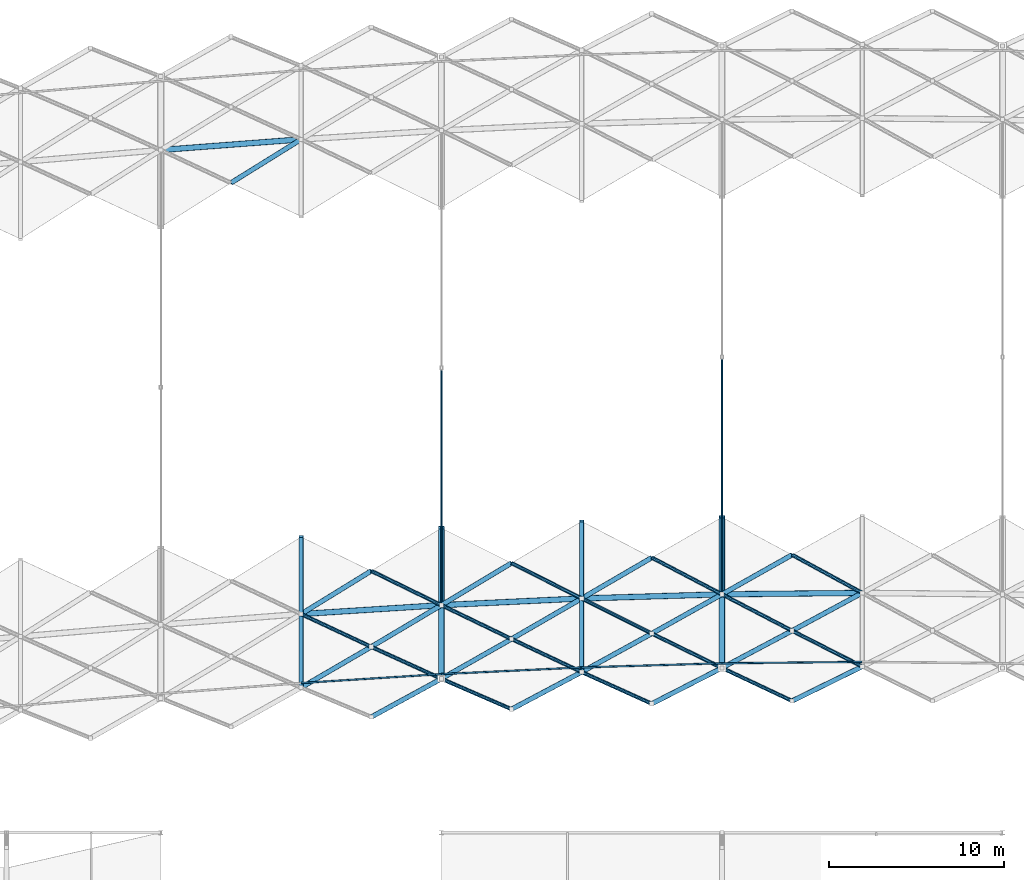
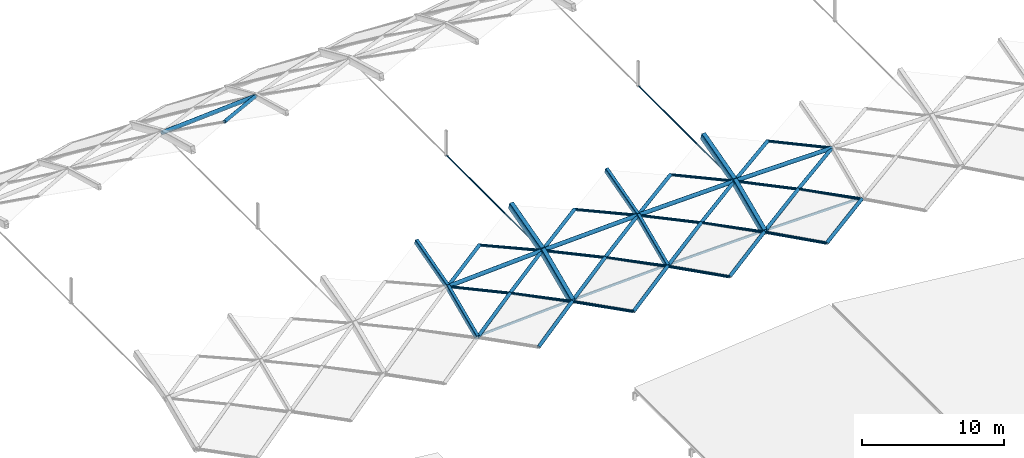
# One storey, part 6 of 54: 43 members, 8 beams.
"""IFC4 building model written with IfcOpenShell, lengths in metres."""

from ifc_helpers import new_model, si_unit, direction, frame, origin, origin_2d, place, context, subcontext, project, spatial, hollow_rectangle, hollow_circle, extrude, material, material_profile, profile_set, type_object, element, save


model = new_model("IFC4")

# Units and contexts
model_context = context("Model", 3, precision=1e-05, world=origin(), true_north=direction((0.0, 1.0)))
body_context = subcontext(model_context, "Body", "Model", "MODEL_VIEW")
ifc_project = project(units=[si_unit("LENGTHUNIT", "METRE"), si_unit("AREAUNIT", "SQUARE_METRE"), si_unit("VOLUMEUNIT", "CUBIC_METRE"), si_unit("PLANEANGLEUNIT", "RADIAN"), si_unit("MASSUNIT", "GRAM", prefix="KILO")], contexts=[model_context])

# Site, building, storey
site_placement = place(None, origin())
site = spatial("IfcSite", under=ifc_project, at=site_placement, CompositionType="ELEMENT")
building_placement = place(site_placement, origin())
building = spatial("IfcBuilding", under=site, at=building_placement, Name="Kenh Van Central Station", CompositionType="ELEMENT")
storey_placement = place(building_placement, frame((0.0, 0.0, 15.0)))
storey = spatial("IfcBuildingStorey", under=building, at=storey_placement, Name="L03", CompositionType="ELEMENT", Elevation=15.0)

# Beams
ifc_material = material(Name="White fluoropolymer structural steel S355", Category="steel")
ifc_material_profile_1 = material_profile(ifc_material, hollow_rectangle(XDim=0.35009765625, YDim=0.60009765625, WallThickness=0.01611328125, InnerFilletRadius=0.01611328125, OuterFilletRadius=0.031982421875, at=origin_2d()), Name="RHS 600x350x16")
ifc_profile_set_1 = profile_set([ifc_material_profile_1], Name="White fluoropolymer structural steel S355")
beam_type_1 = type_object("IfcBeamType", Name="BM-VAULT-ARCH600", PredefinedType="BEAM", material=ifc_profile_set_1)
beam_1_placement = place(storey_placement, frame((64.0, 72.771240234375, 2.228515625), z_axis=(0.0, 0.91578030048, 0.401679525559), x_axis=(-1.0, 0.0, 0.0)))
element("IfcBeam", 1, at=beam_1_placement, inside=storey, type_object=beam_type_1, Name="Vault transverse arch 051", PredefinedType="BEAM", context=body_context, shape_type="SweptSolid", body=[
    extrude(hollow_rectangle(XDim=0.35009765625, YDim=0.60009765625, WallThickness=0.01611328125, InnerFilletRadius=0.01611328125, OuterFilletRadius=0.031982421875, at=origin_2d()), origin(), (0.0, 0.0, 1.0), 4.582275390625),
])
beam_2_placement = place(storey_placement, frame((64.0, 76.967529296875, 4.069091796875), z_axis=(0.0, 0.96438556277, 0.26450044673), x_axis=(-1.0, 0.0, 0.0)))
element("IfcBeam", 2, at=beam_2_placement, inside=storey, type_object=beam_type_1, Name="Vault transverse arch 052", PredefinedType="BEAM", context=body_context, shape_type="SweptSolid", body=[
    extrude(hollow_rectangle(XDim=0.35009765625, YDim=0.60009765625, WallThickness=0.01611328125, InnerFilletRadius=0.01611328125, OuterFilletRadius=0.031982421875, at=origin_2d()), origin(), (0.0, 0.0, 1.0), 4.584716796875),
])
beam_3_placement = place(storey_placement, frame((80.0, 73.38916015625, 2.228515625), z_axis=(0.0, 0.91578030048, 0.401679525559), x_axis=(-1.0, 0.0, 0.0)))
element("IfcBeam", 3, at=beam_3_placement, inside=storey, type_object=beam_type_1, Name="Vault transverse arch 073", PredefinedType="BEAM", context=body_context, shape_type="SweptSolid", body=[
    extrude(hollow_rectangle(XDim=0.35009765625, YDim=0.60009765625, WallThickness=0.01611328125, InnerFilletRadius=0.01611328125, OuterFilletRadius=0.031982421875, at=origin_2d()), origin(), (0.0, 0.0, 1.0), 4.582275390625),
])
beam_4_placement = place(storey_placement, frame((80.0, 77.58544921875, 4.069091796875), z_axis=(0.0, 0.96438556277, 0.26450044673), x_axis=(-1.0, 0.0, 0.0)))
element("IfcBeam", 4, at=beam_4_placement, inside=storey, type_object=beam_type_1, Name="Vault transverse arch 074", PredefinedType="BEAM", context=body_context, shape_type="SweptSolid", body=[
    extrude(hollow_rectangle(XDim=0.35009765625, YDim=0.60009765625, WallThickness=0.01611328125, InnerFilletRadius=0.01611328125, OuterFilletRadius=0.031982421875, at=origin_2d()), origin(), (0.0, 0.0, 1.0), 4.584716796875),
])
ifc_material_profile_2 = material_profile(ifc_material, hollow_rectangle(XDim=0.25, YDim=0.449951171875, WallThickness=0.012451171875, InnerFilletRadius=0.012451171875, OuterFilletRadius=0.02490234375, at=origin_2d()), Name="RHS 450x250x12.5")
ifc_profile_set_2 = profile_set([ifc_material_profile_2], Name="White fluoropolymer structural steel S355")
beam_type_2 = type_object("IfcBeamType", Name="BM-VAULT-SUB450", PredefinedType="BEAM", material=ifc_profile_set_2)
beam_5_placement = place(storey_placement, frame((56.0, 72.2646484375, 2.228515625), z_axis=(0.0, 0.91578030048, 0.401679525559), x_axis=(-1.0, 0.0, 0.0)))
element("IfcBeam", 5, at=beam_5_placement, inside=storey, type_object=beam_type_2, Name="Vault transverse arch 039", PredefinedType="BEAM", context=body_context, shape_type="SweptSolid", body=[
    extrude(hollow_rectangle(XDim=0.25, YDim=0.449951171875, WallThickness=0.012451171875, InnerFilletRadius=0.012451171875, OuterFilletRadius=0.02490234375, at=origin_2d()), origin(), (0.0, 0.0, 1.0), 4.582275390625),
])
beam_6_placement = place(storey_placement, frame((56.0, 76.4609375, 4.069091796875), z_axis=(0.0, 0.964381836979, 0.264514030829), x_axis=(-1.0, 0.0, 0.0)))
element("IfcBeam", 6, at=beam_6_placement, inside=storey, type_object=beam_type_2, Name="Vault transverse arch 040", PredefinedType="BEAM", context=body_context, shape_type="SweptSolid", body=[
    extrude(hollow_rectangle(XDim=0.25, YDim=0.449951171875, WallThickness=0.012451171875, InnerFilletRadius=0.012451171875, OuterFilletRadius=0.02490234375, at=origin_2d()), origin(), (0.0, 0.0, 1.0), 4.58447265625),
])
beam_7_placement = place(storey_placement, frame((72.0, 73.152587890625, 2.228515625), z_axis=(0.0, 0.91578030048, 0.401679525559), x_axis=(-1.0, 0.0, 0.0)))
element("IfcBeam", 7, at=beam_7_placement, inside=storey, type_object=beam_type_2, Name="Vault transverse arch 062", PredefinedType="BEAM", context=body_context, shape_type="SweptSolid", body=[
    extrude(hollow_rectangle(XDim=0.25, YDim=0.449951171875, WallThickness=0.012451171875, InnerFilletRadius=0.012451171875, OuterFilletRadius=0.02490234375, at=origin_2d()), origin(), (0.0, 0.0, 1.0), 4.582275390625),
])
beam_8_placement = place(storey_placement, frame((72.0, 77.348876953125, 4.069091796875), z_axis=(0.0, 0.964381836979, 0.264514030829), x_axis=(-1.0, 0.0, 0.0)))
element("IfcBeam", 8, at=beam_8_placement, inside=storey, type_object=beam_type_2, Name="Vault transverse arch 063", PredefinedType="BEAM", context=body_context, shape_type="SweptSolid", body=[
    extrude(hollow_rectangle(XDim=0.25, YDim=0.449951171875, WallThickness=0.012451171875, InnerFilletRadius=0.012451171875, OuterFilletRadius=0.02490234375, at=origin_2d()), origin(), (0.0, 0.0, 1.0), 4.58447265625),
])

# Members
ifc_material_profile_3 = material_profile(ifc_material, hollow_rectangle(XDim=0.10009765625, YDim=0.199951171875, WallThickness=0.008056640625, InnerFilletRadius=0.008056640625, OuterFilletRadius=0.01611328125, at=origin_2d()), Name="RHS 200x100x8")
ifc_profile_set_3 = profile_set([ifc_material_profile_3], Name="White fluoropolymer structural steel S355")
member_type_1 = type_object("IfcMemberType", Name="MEM-PUR-RHS200", PredefinedType="PURLIN", material=ifc_profile_set_3)
member_1_placement = place(storey_placement, frame((56.0, 72.52783203125, 2.13330078125), z_axis=(0.997999125469, 0.063227727798, 0.0), x_axis=(-0.063227727798, 0.997999125469, 0.0)))
element("IfcMember", 9, at=member_1_placement, inside=storey, type_object=member_type_1, Name="Vault longitudinal purlin 004", PredefinedType="PURLIN", context=body_context, shape_type="SweptSolid", body=[
    extrude(hollow_rectangle(XDim=0.10009765625, YDim=0.199951171875, WallThickness=0.008056640625, InnerFilletRadius=0.008056640625, OuterFilletRadius=0.01611328125, at=origin_2d()), origin(), (0.0, 0.0, 1.0), 8.01611328125),
])
member_2_placement = place(storey_placement, frame((64.0, 73.03466796875, 2.13330078125), z_axis=(0.998867240988, 0.047583977148, 0.0), x_axis=(-0.047583977148, 0.998867240988, 0.0)))
element("IfcMember", 10, at=member_2_placement, inside=storey, type_object=member_type_1, Name="Vault longitudinal purlin 005", PredefinedType="PURLIN", context=body_context, shape_type="SweptSolid", body=[
    extrude(hollow_rectangle(XDim=0.10009765625, YDim=0.199951171875, WallThickness=0.008056640625, InnerFilletRadius=0.008056640625, OuterFilletRadius=0.01611328125, at=origin_2d()), origin(), (0.0, 0.0, 1.0), 8.009033203125),
])
member_3_placement = place(storey_placement, frame((72.0, 73.415771484375, 2.13330078125), z_axis=(0.999562147036, 0.029589089436, 0.0), x_axis=(-0.029589089436, 0.999562147036, 0.0)))
element("IfcMember", 11, at=member_3_placement, inside=storey, type_object=member_type_1, Name="Vault longitudinal purlin 006", PredefinedType="PURLIN", context=body_context, shape_type="SweptSolid", body=[
    extrude(hollow_rectangle(XDim=0.10009765625, YDim=0.199951171875, WallThickness=0.008056640625, InnerFilletRadius=0.008056640625, OuterFilletRadius=0.01611328125, at=origin_2d()), origin(), (0.0, 0.0, 1.0), 8.00341796875),
])
member_4_placement = place(storey_placement, frame((80.0, 73.652587890625, 2.13330078125), z_axis=(0.99994990606, 0.010009264196, 0.0), x_axis=(-0.010009264196, 0.99994990606, 0.0)))
element("IfcMember", 12, at=member_4_placement, inside=storey, type_object=member_type_1, Name="Vault longitudinal purlin 007", PredefinedType="PURLIN", context=body_context, shape_type="SweptSolid", body=[
    extrude(hollow_rectangle(XDim=0.10009765625, YDim=0.199951171875, WallThickness=0.008056640625, InnerFilletRadius=0.008056640625, OuterFilletRadius=0.01611328125, at=origin_2d()), origin(), (0.0, 0.0, 1.0), 8.00048828125),
])
ifc_material_profile_4 = material_profile(ifc_material, hollow_circle(Radius=0.109619140625, WallThickness=0.008056640625, at=origin_2d()), Name="CHS 219.1x8")
ifc_profile_set_4 = profile_set([ifc_material_profile_4], Name="White fluoropolymer structural steel S355")
member_type_2 = type_object("IfcMemberType", Name="MEM-VAULT-BRC219", PredefinedType="BRACE", material=ifc_profile_set_4)
member_5_placement = place(storey_placement, frame((56.0, 76.4609375, 4.069091796875), z_axis=(0.890277587128, -0.416067839639, -0.185184693416), x_axis=(0.42339092153, 0.905947088723, 0.0)))
element("IfcMember", 13, at=member_5_placement, inside=storey, type_object=member_type_2, Name="Vault diamond grid member 0151", PredefinedType="BRACE", context=body_context, shape_type="SweptSolid", body=[
    extrude(hollow_circle(Radius=0.109619140625, WallThickness=0.008056640625, at=origin_2d()), origin(), (0.0, 0.0, 1.0), 4.492919921875),
])
member_6_placement = place(storey_placement, frame((60.0, 74.591552734375, 3.237060546875), z_axis=(0.887122961881, -0.403710254137, -0.223675839571), x_axis=(0.414204713494, 0.910183748108, 0.0)))
element("IfcMember", 14, at=member_6_placement, inside=storey, type_object=member_type_2, Name="Vault diamond grid member 0174", PredefinedType="BRACE", context=body_context, shape_type="SweptSolid", body=[
    extrude(hollow_circle(Radius=0.109619140625, WallThickness=0.008056640625, at=origin_2d()), origin(), (0.0, 0.0, 1.0), 4.509033203125),
])
member_7_placement = place(storey_placement, frame((60.0, 78.919677734375, 4.74560546875), z_axis=(0.888481941737, -0.433612158577, -0.1502675452), x_axis=(0.438592211472, 0.898686192192, 0.0)))
element("IfcMember", 15, at=member_7_placement, inside=storey, type_object=member_type_2, Name="Vault diamond grid member 0176", PredefinedType="BRACE", context=body_context, shape_type="SweptSolid", body=[
    extrude(hollow_circle(Radius=0.109619140625, WallThickness=0.008056640625, at=origin_2d()), origin(), (0.0, 0.0, 1.0), 4.501953125),
])
member_8_placement = place(storey_placement, frame((64.0, 72.771240234375, 2.228515625), z_axis=(0.883663890888, -0.383852289517, -0.267946912227), x_axis=(0.398421083066, 0.917202616966, 0.0)))
element("IfcMember", 16, at=member_8_placement, inside=storey, type_object=member_type_2, Name="Vault diamond grid member 0195", PredefinedType="BRACE", context=body_context, shape_type="SweptSolid", body=[
    extrude(hollow_circle(Radius=0.109619140625, WallThickness=0.008056640625, at=origin_2d()), origin(), (0.0, 0.0, 1.0), 4.526611328125),
])
member_9_placement = place(storey_placement, frame((64.0, 76.967529296875, 4.069091796875), z_axis=(0.885309297688, -0.426984501363, -0.184151250398), x_axis=(0.434413883268, 0.900713371736, 0.0)))
element("IfcMember", 17, at=member_9_placement, inside=storey, type_object=member_type_2, Name="Vault diamond grid member 0197", PredefinedType="BRACE", context=body_context, shape_type="SweptSolid", body=[
    extrude(hollow_circle(Radius=0.109619140625, WallThickness=0.008056640625, at=origin_2d()), origin(), (0.0, 0.0, 1.0), 4.518310546875),
])
member_10_placement = place(storey_placement, frame((68.0, 75.038330078125, 3.237060546875), z_axis=(0.88187942497, -0.415749308988, -0.22235375394), x_axis=(0.426424393875, 0.90452320938, 0.0)))
element("IfcMember", 18, at=member_10_placement, inside=storey, type_object=member_type_2, Name="Vault diamond grid member 0218", PredefinedType="BRACE", context=body_context, shape_type="SweptSolid", body=[
    extrude(hollow_circle(Radius=0.109619140625, WallThickness=0.008056640625, at=origin_2d()), origin(), (0.0, 0.0, 1.0), 4.535888671875),
])
member_11_placement = place(storey_placement, frame((68.0, 79.366455078125, 4.74560546875), z_axis=(0.882843208628, -0.445301286383, -0.14931387519), x_axis=(0.450349775094, 0.892852216256, 0.0)))
element("IfcMember", 19, at=member_11_placement, inside=storey, type_object=member_type_2, Name="Vault diamond grid member 0220", PredefinedType="BRACE", context=body_context, shape_type="SweptSolid", body=[
    extrude(hollow_circle(Radius=0.109619140625, WallThickness=0.008056640625, at=origin_2d()), origin(), (0.0, 0.0, 1.0), 4.53076171875),
])
member_12_placement = place(storey_placement, frame((72.0, 73.152587890625, 2.228515625), z_axis=(0.878318359161, -0.397023057126, -0.266326025898), x_axis=(0.41189963402, 0.911229220062, 0.0)))
element("IfcMember", 20, at=member_12_placement, inside=storey, type_object=member_type_2, Name="Vault diamond grid member 0239", PredefinedType="BRACE", context=body_context, shape_type="SweptSolid", body=[
    extrude(hollow_circle(Radius=0.109619140625, WallThickness=0.008056640625, at=origin_2d()), origin(), (0.0, 0.0, 1.0), 4.55419921875),
])
member_13_placement = place(storey_placement, frame((72.0, 77.348876953125, 4.069091796875), z_axis=(0.8793587874, -0.439625721899, -0.18291349777), x_axis=(0.447169920698, 0.894449027068, 0.0)))
element("IfcMember", 21, at=member_13_placement, inside=storey, type_object=member_type_2, Name="Vault diamond grid member 0241", PredefinedType="BRACE", context=body_context, shape_type="SweptSolid", body=[
    extrude(hollow_circle(Radius=0.109619140625, WallThickness=0.008056640625, at=origin_2d()), origin(), (0.0, 0.0, 1.0), 4.548828125),
])
member_14_placement = place(storey_placement, frame((76.0, 75.34912109375, 3.237060546875), z_axis=(0.875824948168, -0.429145671624, -0.220827200981), x_axis=(0.440008176176, 0.897993766625, 0.0)))
element("IfcMember", 22, at=member_14_placement, inside=storey, type_object=member_type_2, Name="Vault diamond grid member 0262", PredefinedType="BRACE", context=body_context, shape_type="SweptSolid", body=[
    extrude(hollow_circle(Radius=0.109619140625, WallThickness=0.008056640625, at=origin_2d()), origin(), (0.0, 0.0, 1.0), 4.567138671875),
])
member_15_placement = place(storey_placement, frame((76.0, 79.677490234375, 4.74560546875), z_axis=(0.876335627512, -0.458332519052, -0.148213258291), x_axis=(0.463451140535, 0.886122474795, 0.0)))
element("IfcMember", 23, at=member_15_placement, inside=storey, type_object=member_type_2, Name="Vault diamond grid member 0264", PredefinedType="BRACE", context=body_context, shape_type="SweptSolid", body=[
    extrude(hollow_circle(Radius=0.109619140625, WallThickness=0.008056640625, at=origin_2d()), origin(), (0.0, 0.0, 1.0), 4.564453125),
])
member_16_placement = place(storey_placement, frame((80.0, 73.38916015625, 2.228515625), z_axis=(0.872346525642, -0.411148673768, -0.264515230676), x_axis=(0.426334049759, 0.904565795294, 0.0)))
element("IfcMember", 24, at=member_16_placement, inside=storey, type_object=member_type_2, Name="Vault diamond grid member 0283", PredefinedType="BRACE", context=body_context, shape_type="SweptSolid", body=[
    extrude(hollow_circle(Radius=0.109619140625, WallThickness=0.008056640625, at=origin_2d()), origin(), (0.0, 0.0, 1.0), 4.58544921875),
])
member_17_placement = place(storey_placement, frame((80.0, 77.58544921875, 4.069091796875), z_axis=(0.87275089154, -0.453155019185, -0.181539003807), x_axis=(0.460811988657, 0.887497780904, 0.0)))
element("IfcMember", 25, at=member_17_placement, inside=storey, type_object=member_type_2, Name="Vault diamond grid member 0285", PredefinedType="BRACE", context=body_context, shape_type="SweptSolid", body=[
    extrude(hollow_circle(Radius=0.109619140625, WallThickness=0.008056640625, at=origin_2d()), origin(), (0.0, 0.0, 1.0), 4.583251953125),
])
member_18_placement = place(storey_placement, frame((84.0, 75.508544921875, 3.237060546875), z_axis=(0.869258427857, -0.443118065763, -0.219171543303), x_axis=(0.45416036637, 0.890919952419, 0.0)))
element("IfcMember", 26, at=member_18_placement, inside=storey, type_object=member_type_2, Name="Vault diamond grid member 0306", PredefinedType="BRACE", context=body_context, shape_type="SweptSolid", body=[
    extrude(hollow_circle(Radius=0.109619140625, WallThickness=0.008056640625, at=origin_2d()), origin(), (0.0, 0.0, 1.0), 4.6015625),
])
member_19_placement = place(storey_placement, frame((84.0, 79.8369140625, 4.74560546875), z_axis=(0.869328385546, -0.471858968058, -0.147028134543), x_axis=(0.477043326817, 0.878879778092, 0.0)))
element("IfcMember", 27, at=member_19_placement, inside=storey, type_object=member_type_2, Name="Vault diamond grid member 0308", PredefinedType="BRACE", context=body_context, shape_type="SweptSolid", body=[
    extrude(hollow_circle(Radius=0.109619140625, WallThickness=0.008056640625, at=origin_2d()), origin(), (0.0, 0.0, 1.0), 4.601318359375),
])
ifc_material_profile_5 = material_profile(ifc_material, hollow_circle(Radius=0.05712890625, WallThickness=0.010009765625, at=origin_2d()), Name="CHS 114.3x10")
ifc_profile_set_5 = profile_set([ifc_material_profile_5], Name="White fluoropolymer structural steel S355")
member_type_3 = type_object("IfcMemberType", Name="MEM-VAULT-CBL114", PredefinedType="BRACE", material=ifc_profile_set_5)
for number, where, z_axis, x_axis, name in (
    (28, (64.0, 76.967529296875, 4.069091796875), (0.0, 1.0, 0.0), (-1.0, 0.0, 0.0), "Vault internal bowstring tension tie 05"),
    (29, (80.0, 77.58544921875, 4.069091796875), (0.0, 1.0, 0.0), (-1.0, 0.0, 0.0), "Vault internal bowstring tension tie 07"),
):
    element("IfcMember", number, at=place(storey_placement, frame(where, z_axis=z_axis, x_axis=x_axis)), inside=storey, type_object=member_type_3, Name=name, PredefinedType="BRACE", context=body_context, shape_type="SweptSolid", body=[
        extrude(hollow_circle(Radius=0.05712890625, WallThickness=0.010009765625, at=origin_2d()), origin(), (0.0, 0.0, 1.0), 13.534423828125),
    ])
ifc_material_profile_6 = material_profile(ifc_material, hollow_circle(Radius=0.136474609375, WallThickness=0.010009765625, at=origin_2d()), Name="CHS 273x10")
ifc_profile_set_6 = profile_set([ifc_material_profile_6], Name="White fluoropolymer structural steel S355")
member_type_4 = type_object("IfcMemberType", Name="MEM-VAULT-CHD273", PredefinedType="CHORD", material=ifc_profile_set_6)
member_20_placement = place(storey_placement, frame((52.0, 101.04541015625, 4.74560546875), z_axis=(0.840874863993, 0.52221079963, -0.142215835457), x_axis=(-0.527573227334, 0.849509558392, 0.0)))
element("IfcMember", 30, at=member_20_placement, inside=storey, type_object=member_type_4, Name="Vault diamond grid member 0137", PredefinedType="CHORD", context=body_context, shape_type="SweptSolid", body=[
    extrude(hollow_circle(Radius=0.136474609375, WallThickness=0.010009765625, at=origin_2d()), origin(), (0.0, 0.0, 1.0), 4.7568359375),
])
member_21_placement = place(storey_placement, frame((56.0, 72.2646484375, 2.228515625), z_axis=(0.844557874395, 0.491301336722, 0.212943638863), x_axis=(-0.502834095977, 0.864382942869, 0.0)))
element("IfcMember", 31, at=member_21_placement, inside=storey, type_object=member_type_4, Name="Vault diamond grid member 0148", PredefinedType="CHORD", context=body_context, shape_type="SweptSolid", body=[
    extrude(hollow_circle(Radius=0.136474609375, WallThickness=0.010009765625, at=origin_2d()), origin(), (0.0, 0.0, 1.0), 4.736083984375),
])
member_22_placement = place(storey_placement, frame((56.0, 76.4609375, 4.069091796875), z_axis=(0.843216438224, 0.518312545737, 0.142611862202), x_axis=(-0.523665088525, 0.851924219083, 0.0)))
element("IfcMember", 32, at=member_22_placement, inside=storey, type_object=member_type_4, Name="Vault diamond grid member 0150", PredefinedType="CHORD", context=body_context, shape_type="SweptSolid", body=[
    extrude(hollow_circle(Radius=0.136474609375, WallThickness=0.010009765625, at=origin_2d()), origin(), (0.0, 0.0, 1.0), 4.74365234375),
])
member_23_placement = place(storey_placement, frame((60.0, 70.5869140625, 1.015625), z_axis=(0.848143463442, 0.463155491176, 0.257176313866), x_axis=(-0.479276186147, 0.87766413701, 0.0)))
element("IfcMember", 33, at=member_23_placement, inside=storey, type_object=member_type_4, Name="Vault diamond grid member 0171", PredefinedType="CHORD", context=body_context, shape_type="SweptSolid", body=[
    extrude(hollow_circle(Radius=0.136474609375, WallThickness=0.010009765625, at=origin_2d()), origin(), (0.0, 0.0, 1.0), 4.716064453125),
])
member_24_placement = place(storey_placement, frame((60.0, 74.591552734375, 3.237060546875), z_axis=(0.846335023839, 0.502718045166, 0.176044296951), x_axis=(-0.510693937642, 0.859762584703, 0.0)))
element("IfcMember", 34, at=member_24_placement, inside=storey, type_object=member_type_4, Name="Vault diamond grid member 0173", PredefinedType="CHORD", context=body_context, shape_type="SweptSolid", body=[
    extrude(hollow_circle(Radius=0.136474609375, WallThickness=0.010009765625, at=origin_2d()), origin(), (0.0, 0.0, 1.0), 4.726318359375),
])
member_25_placement = place(storey_placement, frame((64.0, 72.771240234375, 2.228515625), z_axis=(0.849778799879, 0.48163122166, 0.214260023334), x_axis=(-0.493082238413, 0.869982704519, 0.0)))
element("IfcMember", 35, at=member_25_placement, inside=storey, type_object=member_type_4, Name="Vault diamond grid member 0194", PredefinedType="CHORD", context=body_context, shape_type="SweptSolid", body=[
    extrude(hollow_circle(Radius=0.136474609375, WallThickness=0.010009765625, at=origin_2d()), origin(), (0.0, 0.0, 1.0), 4.70703125),
])
member_26_placement = place(storey_placement, frame((64.0, 76.967529296875, 4.069091796875), z_axis=(0.848713514856, 0.509000182921, 0.143541574076), x_axis=(-0.514326399051, 0.857594516797, 0.0)))
element("IfcMember", 36, at=member_26_placement, inside=storey, type_object=member_type_4, Name="Vault diamond grid member 0196", PredefinedType="CHORD", context=body_context, shape_type="SweptSolid", body=[
    extrude(hollow_circle(Radius=0.136474609375, WallThickness=0.010009765625, at=origin_2d()), origin(), (0.0, 0.0, 1.0), 4.713134765625),
])
member_27_placement = place(storey_placement, frame((68.0, 71.03369140625, 1.015625), z_axis=(0.853563147203, 0.45215298795, 0.258819684772), x_axis=(-0.468103301389, 0.883673751579, 0.0)))
element("IfcMember", 37, at=member_27_placement, inside=storey, type_object=member_type_4, Name="Vault diamond grid member 0215", PredefinedType="CHORD", context=body_context, shape_type="SweptSolid", body=[
    extrude(hollow_circle(Radius=0.136474609375, WallThickness=0.010009765625, at=origin_2d()), origin(), (0.0, 0.0, 1.0), 4.686279296875),
])
member_28_placement = place(storey_placement, frame((68.0, 75.038330078125, 3.237060546875), z_axis=(0.852204540013, 0.492264634197, 0.177265202171), x_axis=(-0.500186019832, 0.865917978543, 0.0)))
element("IfcMember", 38, at=member_28_placement, inside=storey, type_object=member_type_4, Name="Vault diamond grid member 0217", PredefinedType="CHORD", context=body_context, shape_type="SweptSolid", body=[
    extrude(hollow_circle(Radius=0.136474609375, WallThickness=0.010009765625, at=origin_2d()), origin(), (0.0, 0.0, 1.0), 4.693603515625),
])
member_29_placement = place(storey_placement, frame((72.0, 73.152587890625, 2.228515625), z_axis=(0.85588334556, 0.469994046631, 0.215799200471), x_axis=(-0.481335385034, 0.876536506435, 0.0)))
element("IfcMember", 39, at=member_29_placement, inside=storey, type_object=member_type_4, Name="Vault diamond grid member 0238", PredefinedType="CHORD", context=body_context, shape_type="SweptSolid", body=[
    extrude(hollow_circle(Radius=0.136474609375, WallThickness=0.010009765625, at=origin_2d()), origin(), (0.0, 0.0, 1.0), 4.673583984375),
])
member_30_placement = place(storey_placement, frame((72.0, 77.348876953125, 4.069091796875), z_axis=(0.855136089076, 0.497820313575, 0.144627813893), x_axis=(-0.503109947689, 0.864222413813, 0.0)))
element("IfcMember", 40, at=member_30_placement, inside=storey, type_object=member_type_4, Name="Vault diamond grid member 0240", PredefinedType="CHORD", context=body_context, shape_type="SweptSolid", body=[
    extrude(hollow_circle(Radius=0.136474609375, WallThickness=0.010009765625, at=origin_2d()), origin(), (0.0, 0.0, 1.0), 4.677734375),
])
member_31_placement = place(storey_placement, frame((76.0, 71.344482421875, 1.015625), z_axis=(0.859632607116, 0.439417912878, 0.260660082529), x_axis=(-0.455152234144, 0.890413636325, 0.0)))
element("IfcMember", 41, at=member_31_placement, inside=storey, type_object=member_type_4, Name="Vault diamond grid member 0259", PredefinedType="CHORD", context=body_context, shape_type="SweptSolid", body=[
    extrude(hollow_circle(Radius=0.136474609375, WallThickness=0.010009765625, at=origin_2d()), origin(), (0.0, 0.0, 1.0), 4.653076171875),
])
member_32_placement = place(storey_placement, frame((76.0, 75.34912109375, 3.237060546875), z_axis=(0.858807412035, 0.480143792373, 0.178638651136), x_axis=(-0.487993287126, 0.872847381688, 0.0)))
element("IfcMember", 42, at=member_32_placement, inside=storey, type_object=member_type_4, Name="Vault diamond grid member 0261", PredefinedType="CHORD", context=body_context, shape_type="SweptSolid", body=[
    extrude(hollow_circle(Radius=0.136474609375, WallThickness=0.010009765625, at=origin_2d()), origin(), (0.0, 0.0, 1.0), 4.65771484375),
])
member_33_placement = place(storey_placement, frame((80.0, 73.38916015625, 2.228515625), z_axis=(0.862482594447, 0.456983117822, 0.217463110209), x_axis=(-0.468187528717, 0.88362912919, 0.0)))
element("IfcMember", 43, at=member_33_placement, inside=storey, type_object=member_type_4, Name="Vault diamond grid member 0282", PredefinedType="CHORD", context=body_context, shape_type="SweptSolid", body=[
    extrude(hollow_circle(Radius=0.136474609375, WallThickness=0.010009765625, at=origin_2d()), origin(), (0.0, 0.0, 1.0), 4.6376953125),
])
member_34_placement = place(storey_placement, frame((80.0, 77.58544921875, 4.069091796875), z_axis=(0.862125735579, 0.485261446137, 0.145809961749), x_axis=(-0.490503646244, 0.871439139023, 0.0)))
element("IfcMember", 44, at=member_34_placement, inside=storey, type_object=member_type_4, Name="Vault diamond grid member 0284", PredefinedType="CHORD", context=body_context, shape_type="SweptSolid", body=[
    extrude(hollow_circle(Radius=0.136474609375, WallThickness=0.010009765625, at=origin_2d()), origin(), (0.0, 0.0, 1.0), 4.6396484375),
])
member_35_placement = place(storey_placement, frame((84.0, 71.50390625, 1.015625), z_axis=(0.865999829652, 0.425547157503, 0.262590768659), x_axis=(-0.4410238783, 0.897495369776, 0.0)))
element("IfcMember", 45, at=member_35_placement, inside=storey, type_object=member_type_4, Name="Vault diamond grid member 0303", PredefinedType="CHORD", context=body_context, shape_type="SweptSolid", body=[
    extrude(hollow_circle(Radius=0.136474609375, WallThickness=0.010009765625, at=origin_2d()), origin(), (0.0, 0.0, 1.0), 4.618896484375),
])
member_36_placement = place(storey_placement, frame((84.0, 75.508544921875, 3.237060546875), z_axis=(0.865770395333, 0.466915723459, 0.18008700606), x_axis=(-0.474676356703, 0.880160415145, 0.0)))
element("IfcMember", 46, at=member_36_placement, inside=storey, type_object=member_type_4, Name="Vault diamond grid member 0305", PredefinedType="CHORD", context=body_context, shape_type="SweptSolid", body=[
    extrude(hollow_circle(Radius=0.136474609375, WallThickness=0.010009765625, at=origin_2d()), origin(), (0.0, 0.0, 1.0), 4.6201171875),
])
ifc_material_profile_7 = material_profile(ifc_material, hollow_circle(Radius=0.161865234375, WallThickness=0.010009765625, at=origin_2d()), Name="CHS 323.9x10")
ifc_profile_set_7 = profile_set([ifc_material_profile_7], Name="White fluoropolymer structural steel S355")
member_type_5 = type_object("IfcMemberType", Name="MEM-VAULT-CHD324", PredefinedType="CHORD", material=ifc_profile_set_7)
member_37_placement = place(storey_placement, frame((56.0, 76.4609375, 4.069091796875), z_axis=(0.998001046855, 0.063197392951, 0.0), x_axis=(-0.063197392951, 0.998001046855, 0.0)))
element("IfcMember", 47, at=member_37_placement, inside=storey, type_object=member_type_5, Name="Vault longitudinal spine chord 18", PredefinedType="CHORD", context=body_context, shape_type="SweptSolid", body=[
    extrude(hollow_circle(Radius=0.161865234375, WallThickness=0.010009765625, at=origin_2d()), origin(), (0.0, 0.0, 1.0), 8.01611328125),
])
member_38_placement = place(storey_placement, frame((64.0, 76.967529296875, 4.069091796875), z_axis=(0.998865791667, 0.04761439107, 0.0), x_axis=(-0.04761439107, 0.998865791667, 0.0)))
element("IfcMember", 48, at=member_38_placement, inside=storey, type_object=member_type_5, Name="Vault longitudinal spine chord 19", PredefinedType="CHORD", context=body_context, shape_type="SweptSolid", body=[
    extrude(hollow_circle(Radius=0.161865234375, WallThickness=0.010009765625, at=origin_2d()), origin(), (0.0, 0.0, 1.0), 8.009033203125),
])
member_39_placement = place(storey_placement, frame((72.0, 77.348876953125, 4.069091796875), z_axis=(0.999563048769, 0.029558611885, 0.0), x_axis=(-0.029558611885, 0.999563048769, 0.0)))
element("IfcMember", 49, at=member_39_placement, inside=storey, type_object=member_type_5, Name="Vault longitudinal spine chord 20", PredefinedType="CHORD", context=body_context, shape_type="SweptSolid", body=[
    extrude(hollow_circle(Radius=0.161865234375, WallThickness=0.010009765625, at=origin_2d()), origin(), (0.0, 0.0, 1.0), 8.00341796875),
])
member_40_placement = place(storey_placement, frame((80.0, 77.58544921875, 4.069091796875), z_axis=(0.999949600167, 0.010039777175, 0.0), x_axis=(-0.010039777175, 0.999949600167, 0.0)))
element("IfcMember", 50, at=member_40_placement, inside=storey, type_object=member_type_5, Name="Vault longitudinal spine chord 21", PredefinedType="CHORD", context=body_context, shape_type="SweptSolid", body=[
    extrude(hollow_circle(Radius=0.161865234375, WallThickness=0.010009765625, at=origin_2d()), origin(), (0.0, 0.0, 1.0), 8.00048828125),
])
member_41_placement = place(storey_placement, frame((48.0, 102.922607421875, 4.069091796875), z_axis=(0.997134485958, 0.075649302127, 0.0), x_axis=(-0.075649302127, 0.997134485958, 0.0)))
element("IfcMember", 51, at=member_41_placement, inside=storey, type_object=member_type_5, Name="Vault longitudinal spine chord 31", PredefinedType="CHORD", context=body_context, shape_type="SweptSolid", body=[
    extrude(hollow_circle(Radius=0.161865234375, WallThickness=0.010009765625, at=origin_2d()), origin(), (0.0, 0.0, 1.0), 8.02294921875),
])

save(model, "model.ifc")
